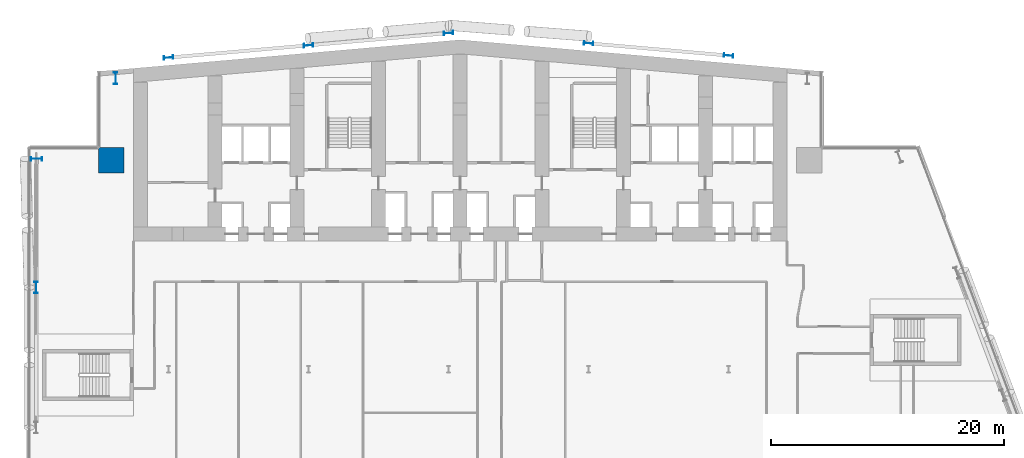
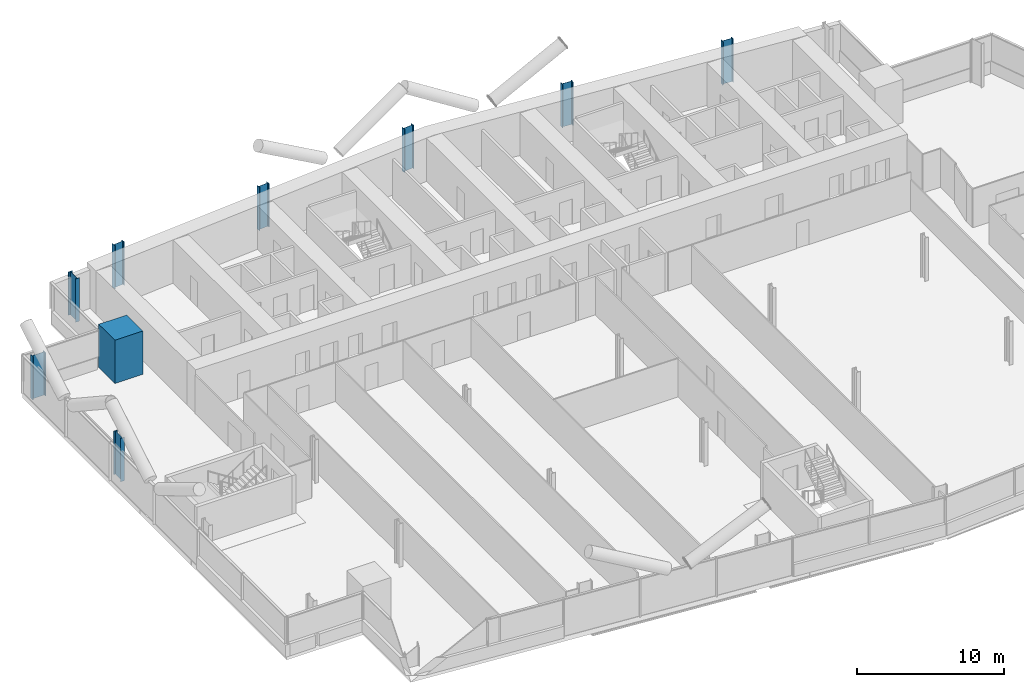
# One storey, part 2 of 25: 9 columns.
"""IFC4 building model written with IfcOpenShell, lengths in metres."""

from ifc_helpers import new_model, si_unit, direction, frame, origin, origin_2d, place, context, subcontext, project, spatial, rectangle, i_section, extrude, material, material_profile, profile_set, type_object, element, save


model = new_model("IFC4")

# Units and contexts
model_context = context("Model", 3, precision=1e-05, world=origin(), true_north=direction((0.0, 1.0)))
body_context = subcontext(model_context, "Body", "Model", "MODEL_VIEW")
ifc_project = project(units=[si_unit("LENGTHUNIT", "METRE"), si_unit("AREAUNIT", "SQUARE_METRE"), si_unit("VOLUMEUNIT", "CUBIC_METRE"), si_unit("PLANEANGLEUNIT", "RADIAN"), si_unit("MASSUNIT", "GRAM", prefix="KILO")], contexts=[model_context])

# Site, building, storey
site_placement = place(None, origin())
site = spatial("IfcSite", under=ifc_project, at=site_placement, CompositionType="ELEMENT")
building_placement = place(site_placement, origin())
building = spatial("IfcBuilding", under=site, at=building_placement, Name="Wharfspan Tower", CompositionType="ELEMENT")
storey_placement = place(building_placement, frame((0.0, 0.0, 70.300049)))
storey = spatial("IfcBuildingStorey", under=building, at=storey_placement, Name="L14", CompositionType="ELEMENT", Elevation=70.300049)

# Columns
ifc_material_1 = material(Name="Steel S355J2", Category="steel")
ifc_material_profile_1 = material_profile(ifc_material_1, i_section(OverallWidth=0.302002, OverallDepth=1.008057, WebThickness=0.020996, FlangeThickness=0.040039, FilletRadius=0.030029, at=origin_2d()))
ifc_profile_set_1 = profile_set([ifc_material_profile_1], Name="Steel S355J2")
column_type_1 = type_object("IfcColumnType", Name="Column HEM 1000", PredefinedType="COLUMN", material=ifc_profile_set_1)
for number, where, z_axis, x_axis, name in (
    (1, (7.466553, 47.933594, 0.0), (0.0, 0.0, 1.0), (-1.0, 0.0, 0.0), "Perimeter column PNRW-V.1 L14"),
    (2, (0.684814, 41.03418, 0.0), (0.0, 0.0, 1.0), (0.0, 1.0, 0.0), "Perimeter column PNRW-H.1 L14"),
    (3, (0.659912, 30.0, 0.0), (0.0, 0.0, 1.0), (-1.0, 0.0, 0.0), "Perimeter column PW.1 L14"),
):
    element("IfcColumn", number, at=place(storey_placement, frame(where, z_axis=z_axis, x_axis=x_axis)), inside=storey, type_object=column_type_1, Name=name, PredefinedType="COLUMN", context=body_context, shape_type="SweptSolid", body=[
        extrude(i_section(OverallWidth=0.302002, OverallDepth=1.008057, WebThickness=0.020996, FlangeThickness=0.040039, FilletRadius=0.030029, at=origin_2d()), origin(), (0.0, 0.0, 1.0), 3.599854),
    ])
ifc_material_profile_2 = material_profile(ifc_material_1, i_section(OverallWidth=0.302979, OverallDepth=0.813965, WebThickness=0.020996, FlangeThickness=0.040039, FilletRadius=0.030029, at=origin_2d()))
ifc_profile_set_2 = profile_set([ifc_material_profile_2], Name="Steel S355J2")
column_type_2 = type_object("IfcColumnType", Name="Column HEM 800", PredefinedType="COLUMN", material=ifc_profile_set_2)
for number, where, z_axis, x_axis, name in (
    (4, (12.0, 49.709961, 0.0), (0.0, 0.0, 1.0), (-0.087156, 0.996197, 0.0), "Rear column R.1 L14"),
    (5, (24.0, 50.759766, 0.0), (0.0, 0.0, 1.0), (-0.087156, 0.996197, 0.0), "Rear column R.2 L14"),
    (6, (36.0, 51.80957, 0.0), (0.0, 0.0, 1.0), (-0.087156, 0.996197, 0.0), "Rear column R.3 L14"),
    (7, (48.0, 50.934814, 0.0), (0.0, 0.0, 1.0), (0.087156, 0.996197, 0.0), "Rear column R.4 L14"),
    (8, (60.0, 49.884766, 0.0), (0.0, 0.0, 1.0), (0.087156, 0.996197, 0.0), "Rear column R.5 L14"),
):
    element("IfcColumn", number, at=place(storey_placement, frame(where, z_axis=z_axis, x_axis=x_axis)), inside=storey, type_object=column_type_2, Name=name, PredefinedType="COLUMN", context=body_context, shape_type="SweptSolid", body=[
        extrude(i_section(OverallWidth=0.302979, OverallDepth=0.813965, WebThickness=0.020996, FlangeThickness=0.040039, FilletRadius=0.030029, at=origin_2d()), origin(), (0.0, 0.0, 1.0), 3.599854),
    ])
ifc_material_2 = material(Name="Concrete C70/85", Category="concrete")
ifc_material_profile_3 = material_profile(ifc_material_2, rectangle(XDim=2.199951, YDim=2.199951, at=origin_2d()))
ifc_profile_set_3 = profile_set([ifc_material_profile_3], Name="Concrete C70/85")
column_type_3 = type_object("IfcColumnType", Name="Mega column 2200 C70/85", PredefinedType="COLUMN", material=ifc_profile_set_3)
column_placement = place(storey_placement, frame((7.100098, 40.899902, 0.0), z_axis=(0.0, 0.0, 1.0), x_axis=(1.0, 0.0, 0.0)))
element("IfcColumn", 9, at=column_placement, inside=storey, type_object=column_type_3, Name="Mega column MC2 L14", PredefinedType="COLUMN", context=body_context, shape_type="SweptSolid", body=[
    extrude(rectangle(XDim=2.199951, YDim=2.199951, at=origin_2d()), origin(), (0.0, 0.0, 1.0), 3.599854),
])

save(model, "model.ifc")
